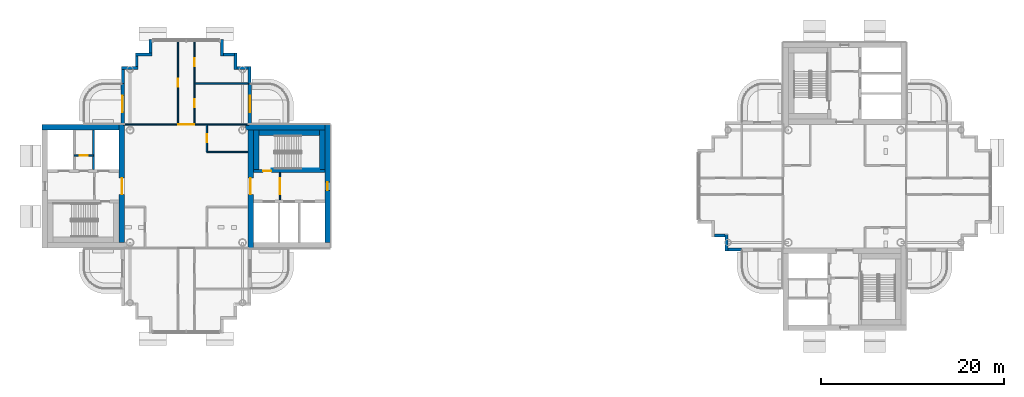
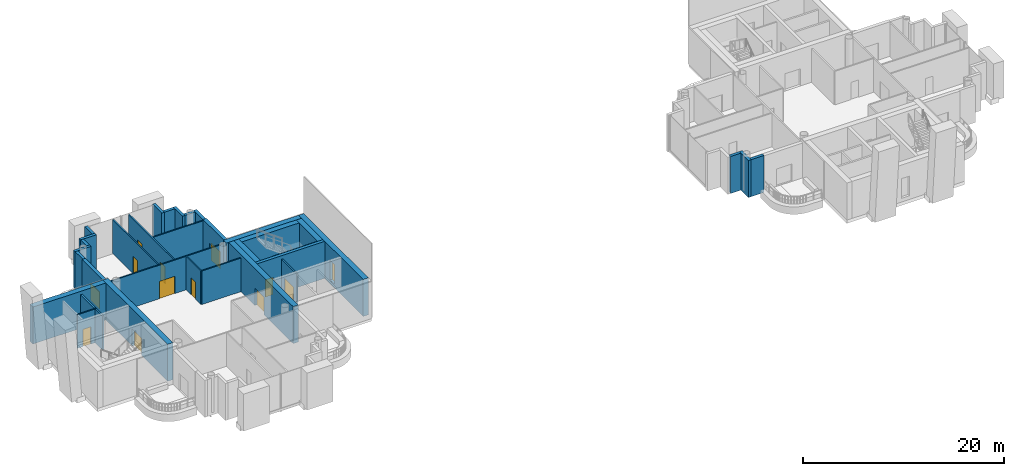
# One storey, part 8 of 20: 34 walls, 12 doors, 1 window, 13 openings.
"""IFC4 building model written with IfcOpenShell, lengths in metres."""

from ifc_helpers import new_model, si_unit, direction, frame, frame_2d, origin, place, context, subcontext, project, spatial, rectangle, extrude, material, layer, layer_set, type_object, element, fill, save


model = new_model("IFC4")

# Units and contexts
model_context = context("Model", 3, precision=1e-05, world=origin(), true_north=direction((0.0, 1.0)))
body_context = subcontext(model_context, "Body", "Model", "MODEL_VIEW")
ifc_project = project(units=[si_unit("LENGTHUNIT", "METRE"), si_unit("AREAUNIT", "SQUARE_METRE"), si_unit("VOLUMEUNIT", "CUBIC_METRE"), si_unit("PLANEANGLEUNIT", "RADIAN"), si_unit("MASSUNIT", "GRAM", prefix="KILO")], contexts=[model_context])

# Site, building, storey
site_placement = place(None, origin())
site = spatial("IfcSite", under=ifc_project, at=site_placement, CompositionType="ELEMENT")
building_placement = place(site_placement, origin())
building = spatial("IfcBuilding", under=site, at=building_placement, Name="Ipe Terrace Towers", CompositionType="ELEMENT")
storey_placement = place(building_placement, frame((0.0, 0.0, 242.39990234375)))
storey = spatial("IfcBuildingStorey", under=building, at=storey_placement, Name="L67", CompositionType="ELEMENT", Elevation=242.39990234375)

# Wall, opening, door
ifc_material_1 = material(Name="Concrete C40/50 with buff precast cladding", Category="concrete")
ifc_layer_1 = layer(ifc_material_1, 0.39990234375)
ifc_layer_set_1 = layer_set([ifc_layer_1], Name="BALCONY BAY WALL 400")
wall_type_1 = type_object("IfcWallType", Name="BALCONY BAY WALL 400", PredefinedType="STANDARD", material=ifc_layer_set_1)
wall_1_placement = place(storey_placement, frame((-29.050048828125, 6.75, -0.02001953125), z_axis=(0.0, 0.0, 1.0), x_axis=(0.0, 1.0, 0.0)))
wall_1 = element("IfcWall", 1, at=wall_1_placement, inside=storey, type_object=wall_type_1, Name="T1-W-L67-20a wall", PredefinedType="STANDARD", context=body_context, shape_type="SweptSolid", body=[
    extrude(rectangle(XDim=4.5, YDim=0.39990234375, at=frame_2d((2.25, 0.0))), origin(), (0.0, 0.0, 1.0), 4.22021484375),
])
opening_1_placement = place(wall_1_placement, frame((1.35009765625, 0.0, 0.02001953125)))
opening_1 = element("IfcOpeningElement", 2, at=opening_1_placement, cuts=wall_1, Name="Opening T1-D-L67-20", PredefinedType="OPENING", context=body_context, shape_type="SweptSolid", body=[
    extrude(rectangle(XDim=1.800048828125, YDim=2.10009765625, at=frame_2d((0.89990234375, 1.050048828125))), frame((0.0, 0.2099609375, 0.0), z_axis=(0.0, -1.0, 0.0), x_axis=(1.0, 0.0, 0.0)), (0.0, 0.0, 1.0), 0.419921875),
])
ifc_material_2 = material(Name="Aluminium alloy 6063-T6 framed glazed door", Category="aluminium")
door_type_1 = type_object("IfcDoorType", Name="BALCONY DOOR 1800 x 2100 LEFT", OperationType="SINGLE_SWING_LEFT", PredefinedType="DOOR", material=ifc_material_2)
door_1_placement = place(opening_1_placement, origin())
door_1 = element("IfcDoor", 3, at=door_1_placement, inside=storey, type_object=door_type_1, Name="DB1 door", OperationType="SINGLE_SWING_LEFT", OverallHeight=2.10009765625, OverallWidth=1.800048828125, PredefinedType="DOOR", context=body_context, shape_type="SweptSolid", body=[
    extrude(rectangle(XDim=1.800048828125, YDim=2.10009765625, at=frame_2d((0.89990234375, 1.050048828125))), frame((0.0, 0.02490234375, 0.0), z_axis=(0.0, -1.0, 0.0), x_axis=(1.0, 0.0, 0.0)), (0.0, 0.0, 1.0), 0.050048828125),
])
fill(opening_1, door_1)

wall_2_placement = place(storey_placement, frame((-42.949951171875, 11.25, -0.02001953125), z_axis=(0.0, 0.0, 1.0), x_axis=(0.0, -1.0, 0.0)))
wall_2 = element("IfcWall", 4, at=wall_2_placement, inside=storey, type_object=wall_type_1, Name="T1-W-L67-32a wall", PredefinedType="STANDARD", context=body_context, shape_type="SweptSolid", body=[
    extrude(rectangle(XDim=4.5, YDim=0.39990234375, at=frame_2d((2.25, 0.0))), origin(), (0.0, 0.0, 1.0), 4.22021484375),
])
opening_2_placement = place(wall_2_placement, frame((1.35009765625, 0.0, 0.02001953125)))
opening_2 = element("IfcOpeningElement", 5, at=opening_2_placement, cuts=wall_2, Name="Opening T1-D-L67-32", PredefinedType="OPENING", context=body_context, shape_type="SweptSolid", body=[
    extrude(rectangle(XDim=1.800048828125, YDim=2.10009765625, at=frame_2d((0.89990234375, 1.050048828125))), frame((0.0, 0.2099609375, 0.0), z_axis=(0.0, -1.0, 0.0), x_axis=(1.0, 0.0, 0.0)), (0.0, 0.0, 1.0), 0.419921875),
])
door_2_placement = place(opening_2_placement, origin())
door_2 = element("IfcDoor", 6, at=door_2_placement, inside=storey, type_object=door_type_1, Name="DB1 door", OperationType="SINGLE_SWING_LEFT", OverallHeight=2.10009765625, OverallWidth=1.800048828125, PredefinedType="DOOR", context=body_context, shape_type="SweptSolid", body=[
    extrude(rectangle(XDim=1.800048828125, YDim=2.10009765625, at=frame_2d((0.89990234375, 1.050048828125))), frame((0.0, 0.02490234375, 0.0), z_axis=(0.0, -1.0, 0.0), x_axis=(1.0, 0.0, 0.0)), (0.0, 0.0, 1.0), 0.050048828125),
])
fill(opening_2, door_2)

# Walls
ifc_material_3 = material(Name="Concrete C40/50 with buff precast cladding", Category="concrete")
ifc_layer_2 = layer(ifc_material_3, 0.320068359375)
ifc_layer_set_2 = layer_set([ifc_layer_2], Name="BUFF CLADDING WALL 320")
wall_type_2 = type_object("IfcWallType", Name="BUFF CLADDING WALL 320", PredefinedType="STANDARD", material=ifc_layer_set_2)
wall_3_placement = place(storey_placement, frame((-29.090087890625, 11.25, -0.2998046875), z_axis=(0.0, 0.0, 1.0), x_axis=(0.0, 1.0, 0.0)))
element("IfcWall", 7, at=wall_3_placement, inside=storey, type_object=wall_type_2, Name="T1-W-L67-21a wall", PredefinedType="STANDARD", context=body_context, shape_type="SweptSolid", body=[
    extrude(rectangle(XDim=1.820068359375, YDim=0.320068359375, at=frame_2d((0.91015625, 0.0))), origin(), (0.0, 0.0, 1.0), 4.5),
])
wall_4_placement = place(storey_placement, frame((-29.25, 12.909912109375, -0.2998046875), z_axis=(0.0, 0.0, 1.0), x_axis=(-1.0, 0.0, 0.0)))
element("IfcWall", 8, at=wall_4_placement, inside=storey, type_object=wall_type_2, Name="T1-W-L67-22a wall", PredefinedType="STANDARD", context=body_context, shape_type="SweptSolid", body=[
    extrude(rectangle(XDim=1.179931640625, YDim=0.320068359375, at=frame_2d((0.58984375, 0.0))), origin(), (0.0, 0.0, 1.0), 4.5),
])
wall_5_placement = place(storey_placement, frame((-30.590087890625, 12.75, -0.2998046875), z_axis=(0.0, 0.0, 1.0), x_axis=(0.0, 1.0, 0.0)))
element("IfcWall", 9, at=wall_5_placement, inside=storey, type_object=wall_type_2, Name="T1-W-L67-23a wall", PredefinedType="STANDARD", context=body_context, shape_type="SweptSolid", body=[
    extrude(rectangle(XDim=1.820068359375, YDim=0.320068359375, at=frame_2d((0.91015625, 0.0))), origin(), (0.0, 0.0, 1.0), 4.5),
])
wall_6_placement = place(storey_placement, frame((-30.75, 14.409912109375, -0.2998046875), z_axis=(0.0, 0.0, 1.0), x_axis=(-1.0, 0.0, 0.0)))
element("IfcWall", 10, at=wall_6_placement, inside=storey, type_object=wall_type_2, Name="T1-W-L67-24a wall", PredefinedType="STANDARD", context=body_context, shape_type="SweptSolid", body=[
    extrude(rectangle(XDim=1.179931640625, YDim=0.320068359375, at=frame_2d((0.58984375, 0.0))), origin(), (0.0, 0.0, 1.0), 4.5),
])
wall_7_placement = place(storey_placement, frame((-32.090087890625, 14.25, -0.2998046875), z_axis=(0.0, 0.0, 1.0), x_axis=(0.0, 1.0, 0.0)))
element("IfcWall", 11, at=wall_7_placement, inside=storey, type_object=wall_type_2, Name="T1-W-L67-25a wall", PredefinedType="STANDARD", context=body_context, shape_type="SweptSolid", body=[
    extrude(rectangle(XDim=1.820068359375, YDim=0.320068359375, at=frame_2d((0.91015625, 0.0))), origin(), (0.0, 0.0, 1.0), 4.5),
])
wall_8_placement = place(storey_placement, frame((-39.909912109375, 16.070068359375, -0.2998046875), z_axis=(0.0, 0.0, 1.0), x_axis=(0.0, -1.0, 0.0)))
element("IfcWall", 12, at=wall_8_placement, inside=storey, type_object=wall_type_2, Name="T1-W-L67-27a wall", PredefinedType="STANDARD", context=body_context, shape_type="SweptSolid", body=[
    extrude(rectangle(XDim=1.5, YDim=0.320068359375, at=frame_2d((0.75, 0.0))), origin(), (0.0, 0.0, 1.0), 4.5),
])
wall_9_placement = place(storey_placement, frame((-39.75, 14.409912109375, -0.2998046875), z_axis=(0.0, 0.0, 1.0), x_axis=(-1.0, 0.0, 0.0)))
element("IfcWall", 13, at=wall_9_placement, inside=storey, type_object=wall_type_2, Name="T1-W-L67-28a wall", PredefinedType="STANDARD", context=body_context, shape_type="SweptSolid", body=[
    extrude(rectangle(XDim=1.820068359375, YDim=0.320068359375, at=frame_2d((0.91015625, 0.0))), origin(), (0.0, 0.0, 1.0), 4.5),
])
wall_10_placement = place(storey_placement, frame((-41.409912109375, 14.25, -0.2998046875), z_axis=(0.0, 0.0, 1.0), x_axis=(0.0, -1.0, 0.0)))
element("IfcWall", 14, at=wall_10_placement, inside=storey, type_object=wall_type_2, Name="T1-W-L67-29a wall", PredefinedType="STANDARD", context=body_context, shape_type="SweptSolid", body=[
    extrude(rectangle(XDim=1.179931640625, YDim=0.320068359375, at=frame_2d((0.58984375, 0.0))), origin(), (0.0, 0.0, 1.0), 4.5),
])
wall_11_placement = place(storey_placement, frame((-41.25, 12.909912109375, -0.2998046875), z_axis=(0.0, 0.0, 1.0), x_axis=(-1.0, 0.0, 0.0)))
element("IfcWall", 15, at=wall_11_placement, inside=storey, type_object=wall_type_2, Name="T1-W-L67-30a wall", PredefinedType="STANDARD", context=body_context, shape_type="SweptSolid", body=[
    extrude(rectangle(XDim=1.820068359375, YDim=0.320068359375, at=frame_2d((0.91015625, 0.0))), origin(), (0.0, 0.0, 1.0), 4.5),
])
wall_12_placement = place(storey_placement, frame((-42.909912109375, 12.75, -0.2998046875), z_axis=(0.0, 0.0, 1.0), x_axis=(0.0, -1.0, 0.0)))
element("IfcWall", 16, at=wall_12_placement, inside=storey, type_object=wall_type_2, Name="T1-W-L67-31a wall", PredefinedType="STANDARD", context=body_context, shape_type="SweptSolid", body=[
    extrude(rectangle(XDim=1.5, YDim=0.320068359375, at=frame_2d((0.75, 0.0))), origin(), (0.0, 0.0, 1.0), 4.5),
])
wall_13_placement = place(storey_placement, frame((21.75, -5.409912109375, -0.2998046875), z_axis=(0.0, 0.0, 1.0), x_axis=(1.0, 0.0, 0.0)))
element("IfcWall", 17, at=wall_13_placement, inside=storey, type_object=wall_type_2, Name="T2-W-L67-29a wall", PredefinedType="STANDARD", context=body_context, shape_type="SweptSolid", body=[
    extrude(rectangle(XDim=1.179931640625, YDim=0.320068359375, at=frame_2d((0.58984375, 0.0))), origin(), (0.0, 0.0, 1.0), 4.5),
])
wall_14_placement = place(storey_placement, frame((23.090087890625, -5.25, -0.2998046875), z_axis=(0.0, 0.0, 1.0), x_axis=(0.0, -1.0, 0.0)))
element("IfcWall", 18, at=wall_14_placement, inside=storey, type_object=wall_type_2, Name="T2-W-L67-30a wall", PredefinedType="STANDARD", context=body_context, shape_type="SweptSolid", body=[
    extrude(rectangle(XDim=1.820068359375, YDim=0.320068359375, at=frame_2d((0.91015625, 0.0))), origin(), (0.0, 0.0, 1.0), 4.5),
])
wall_15_placement = place(storey_placement, frame((23.25, -6.909912109375, -0.2998046875), z_axis=(0.0, 0.0, 1.0), x_axis=(1.0, 0.0, 0.0)))
element("IfcWall", 19, at=wall_15_placement, inside=storey, type_object=wall_type_2, Name="T2-W-L67-31a wall", PredefinedType="STANDARD", context=body_context, shape_type="SweptSolid", body=[
    extrude(rectangle(XDim=1.5, YDim=0.320068359375, at=frame_2d((0.75, 0.0))), origin(), (0.0, 0.0, 1.0), 4.5),
])

# Wall, opening, door
ifc_material_4 = material(Name="Gypsum board partition", Category="plasterboard")
ifc_layer_3 = layer(ifc_material_4, 0.14990234375)
ifc_layer_set_3 = layer_set([ifc_layer_3], Name="Gypsum board partition 150 mm")
wall_type_3 = type_object("IfcWallType", Name="Gypsum board partition 150 mm", PredefinedType="PARTITIONING", material=ifc_layer_set_3)
wall_16_placement = place(storey_placement, frame((-25.75, -1.5, 0.0), z_axis=(0.0, 0.0, 1.0), x_axis=(0.0, 1.0, 0.0)))
wall_16 = element("IfcWall", 20, at=wall_16_placement, inside=storey, type_object=wall_type_3, Name="Gypsum board partition T1 L67 t1c1-lobby-wall", PredefinedType="PARTITIONING", context=body_context, shape_type="SweptSolid", body=[
    extrude(rectangle(XDim=3.0, YDim=0.14990234375, at=frame_2d((1.5, 0.0))), origin(), (0.0, 0.0, 1.0), 4.080078125),
])
opening_3_placement = place(wall_16_placement, frame((0.60009765625, 0.0, 0.0)))
opening_3 = element("IfcOpeningElement", 21, at=opening_3_placement, cuts=wall_16, Name="Opening T1C1-VD", PredefinedType="OPENING", context=body_context, shape_type="SweptSolid", body=[
    extrude(rectangle(XDim=1.800048828125, YDim=2.10009765625, at=frame_2d((0.89990234375, 1.050048828125))), frame((0.0, 0.0849609375, 0.0), z_axis=(0.0, -1.0, 0.0), x_axis=(1.0, 0.0, 0.0)), (0.0, 0.0, 1.0), 0.169921875),
])
ifc_material_5 = material(Name="Fire-rated timber door leaf", Category="wood")
door_type_2 = type_object("IfcDoorType", Name="Lobby door 1800 x 2100 FD60", OperationType="NOTDEFINED", PredefinedType="DOOR", material=ifc_material_5)
door_3_placement = place(opening_3_placement, origin())
door_3 = element("IfcDoor", 22, at=door_3_placement, inside=storey, type_object=door_type_2, Name="Lobby door T1C1-VD", OperationType="SINGLE_SWING_LEFT", OverallHeight=2.10009765625, OverallWidth=1.800048828125, PredefinedType="DOOR", context=body_context, shape_type="SweptSolid", body=[
    extrude(rectangle(XDim=1.800048828125, YDim=2.10009765625, at=frame_2d((0.89990234375, 1.050048828125))), frame((0.0, 0.02490234375, 0.0), z_axis=(0.0, -1.0, 0.0), x_axis=(1.0, 0.0, 0.0)), (0.0, 0.0, 1.0), 0.050048828125),
])
fill(opening_3, door_3)

wall_17_placement = place(storey_placement, frame((-46.14990234375, 3.35009765625, 0.0), z_axis=(0.0, 0.0, 1.0), x_axis=(-1.0, 0.0, 0.0)))
wall_17 = element("IfcWall", 23, at=wall_17_placement, inside=storey, type_object=wall_type_3, Name="Gypsum board partition T1 L67 t1c2-q-back", PredefinedType="PARTITIONING", context=body_context, shape_type="SweptSolid", body=[
    extrude(rectangle(XDim=2.10009765625, YDim=0.14990234375, at=frame_2d((1.050048828125, 0.0))), origin(), (0.0, 0.0, 1.0), 4.080078125),
])
opening_4_placement = place(wall_17_placement, frame((0.60009765625, 0.0, 0.0)))
opening_4 = element("IfcOpeningElement", 24, at=opening_4_placement, cuts=wall_17, Name="Opening T1C2-RB", PredefinedType="OPENING", context=body_context, shape_type="SweptSolid", body=[
    extrude(rectangle(XDim=0.89990234375, YDim=2.10009765625, at=frame_2d((0.449951171875, 1.050048828125))), frame((0.0, 0.0849609375, 0.0), z_axis=(0.0, -1.0, 0.0), x_axis=(1.0, 0.0, 0.0)), (0.0, 0.0, 1.0), 0.169921875),
])
ifc_material_6 = material(Name="Fire-rated timber door leaf", Category="wood")
door_type_3 = type_object("IfcDoorType", Name="Service door 900 x 2100 FD60", OperationType="NOTDEFINED", PredefinedType="DOOR", material=ifc_material_6)
door_4_placement = place(opening_4_placement, origin())
door_4 = element("IfcDoor", 25, at=door_4_placement, inside=storey, type_object=door_type_3, Name="Service door T1C2-RB", OperationType="SINGLE_SWING_LEFT", OverallHeight=2.10009765625, OverallWidth=0.89990234375, PredefinedType="DOOR", context=body_context, shape_type="SweptSolid", body=[
    extrude(rectangle(XDim=0.89990234375, YDim=2.10009765625, at=frame_2d((0.449951171875, 1.050048828125))), frame((0.0, 0.02490234375, 0.0), z_axis=(0.0, -1.0, 0.0), x_axis=(1.0, 0.0, 0.0)), (0.0, 0.0, 1.0), 0.050048828125),
])
fill(opening_4, door_4)

wall_18_placement = place(storey_placement, frame((-33.75, 3.75, 0.0), z_axis=(0.0, 0.0, 1.0), x_axis=(0.0, 1.0, 0.0)))
wall_18 = element("IfcWall", 26, at=wall_18_placement, inside=storey, type_object=wall_type_3, Name="Gypsum board partition T1 L67 sp-cne-x", PredefinedType="PARTITIONING", context=body_context, shape_type="SweptSolid", body=[
    extrude(rectangle(XDim=3.0, YDim=0.14990234375, at=frame_2d((1.5, 0.0))), origin(), (0.0, 0.0, 1.0), 4.080078125),
])
opening_5_placement = place(wall_18_placement, frame((1.050048828125, 0.0, 0.0)))
opening_5 = element("IfcOpeningElement", 27, at=opening_5_placement, cuts=wall_18, Name="Opening T1-SP-CNE-NR", PredefinedType="OPENING", context=body_context, shape_type="SweptSolid", body=[
    extrude(rectangle(XDim=0.89990234375, YDim=2.10009765625, at=frame_2d((0.449951171875, 1.050048828125))), frame((0.0, 0.0849609375, 0.0), z_axis=(0.0, -1.0, 0.0), x_axis=(1.0, 0.0, 0.0)), (0.0, 0.0, 1.0), 0.169921875),
])
ifc_material_7 = material(Name="Timber door leaf", Category="wood")
door_type_4 = type_object("IfcDoorType", Name="Service door 900 x 2100", OperationType="NOTDEFINED", PredefinedType="DOOR", material=ifc_material_7)
door_5_placement = place(opening_5_placement, origin())
door_5 = element("IfcDoor", 28, at=door_5_placement, inside=storey, type_object=door_type_4, Name="Service door T1-SP-CNE-NR", OperationType="SINGLE_SWING_RIGHT", OverallHeight=2.10009765625, OverallWidth=0.89990234375, PredefinedType="DOOR", context=body_context, shape_type="SweptSolid", body=[
    extrude(rectangle(XDim=0.89990234375, YDim=2.10009765625, at=frame_2d((0.449951171875, 1.050048828125))), frame((0.0, 0.02490234375, 0.0), z_axis=(0.0, -1.0, 0.0), x_axis=(1.0, 0.0, 0.0)), (0.0, 0.0, 1.0), 0.050048828125),
])
fill(opening_5, door_5)

# Wall
wall_19_placement = place(storey_placement, frame((-33.75, 3.75, 0.0), z_axis=(0.0, 0.0, 1.0), x_axis=(1.0, 0.0, 0.0)))
element("IfcWall", 29, at=wall_19_placement, inside=storey, type_object=wall_type_3, Name="Gypsum board partition T1 L67 sp-cne-y", PredefinedType="PARTITIONING", context=body_context, shape_type="SweptSolid", body=[
    extrude(rectangle(XDim=4.5, YDim=0.14990234375, at=frame_2d((2.25, 0.0))), origin(), (0.0, 0.0, 1.0), 4.080078125),
])

# Wall, opening, door
wall_20_placement = place(storey_placement, frame((-42.85009765625, 6.75, 0.0), z_axis=(0.0, 0.0, 1.0), x_axis=(1.0, 0.0, 0.0)))
wall_20 = element("IfcWall", 30, at=wall_20_placement, inside=storey, type_object=wall_type_3, Name="Gypsum board partition T1 L67 sp-Sp-mouth", PredefinedType="PARTITIONING", context=body_context, shape_type="SweptSolid", body=[
    extrude(rectangle(XDim=13.7001953125, YDim=0.14990234375, at=frame_2d((6.85009765625, 0.0))), origin(), (0.0, 0.0, 1.0), 4.080078125),
])
opening_6_placement = place(wall_20_placement, frame((5.949951171875, 0.0, 0.0)))
opening_6 = element("IfcOpeningElement", 31, at=opening_6_placement, cuts=wall_20, Name="Opening T1-SP-MSp", PredefinedType="OPENING", context=body_context, shape_type="SweptSolid", body=[
    extrude(rectangle(XDim=1.800048828125, YDim=2.10009765625, at=frame_2d((0.89990234375, 1.050048828125))), frame((0.0, 0.0849609375, 0.0), z_axis=(0.0, -1.0, 0.0), x_axis=(1.0, 0.0, 0.0)), (0.0, 0.0, 1.0), 0.169921875),
])
ifc_material_8 = material(Name="Fire-rated timber door leaf", Category="wood")
door_type_5 = type_object("IfcDoorType", Name="Lobby door 1800 x 2100 FD30S", OperationType="NOTDEFINED", PredefinedType="DOOR", material=ifc_material_8)
door_6_placement = place(opening_6_placement, origin())
door_6 = element("IfcDoor", 32, at=door_6_placement, inside=storey, type_object=door_type_5, Name="Lobby door T1-SP-MSp", OperationType="SINGLE_SWING_LEFT", OverallHeight=2.10009765625, OverallWidth=1.800048828125, PredefinedType="DOOR", context=body_context, shape_type="SweptSolid", body=[
    extrude(rectangle(XDim=1.800048828125, YDim=2.10009765625, at=frame_2d((0.89990234375, 1.050048828125))), frame((0.0, 0.02490234375, 0.0), z_axis=(0.0, -1.0, 0.0), x_axis=(1.0, 0.0, 0.0)), (0.0, 0.0, 1.0), 0.050048828125),
])
fill(opening_6, door_6)

# Wall, openings, doors
wall_21_placement = place(storey_placement, frame((-35.10009765625, 6.824951171875, 0.0), z_axis=(0.0, 0.0, 1.0), x_axis=(0.0, 1.0, 0.0)))
wall_21 = element("IfcWall", 33, at=wall_21_placement, inside=storey, type_object=wall_type_3, Name="Gypsum board partition T1 L67 sp-Sp-wp", PredefinedType="PARTITIONING", context=body_context, shape_type="SweptSolid", body=[
    extrude(rectangle(XDim=9.025146484375, YDim=0.14990234375, at=frame_2d((4.5126953125, 0.0))), origin(), (0.0, 0.0, 1.0), 4.080078125),
])
opening_7_placement = place(wall_21_placement, frame((1.800048828125, 0.0, 0.0)))
opening_7 = element("IfcOpeningElement", 34, at=opening_7_placement, cuts=wall_21, Name="Opening T1-SP-PSp1", PredefinedType="OPENING", context=body_context, shape_type="SweptSolid", body=[
    extrude(rectangle(XDim=0.89990234375, YDim=2.10009765625, at=frame_2d((0.449951171875, 1.050048828125))), frame((0.0, 0.0849609375, 0.0), z_axis=(0.0, -1.0, 0.0), x_axis=(1.0, 0.0, 0.0)), (0.0, 0.0, 1.0), 0.169921875),
])
opening_8_placement = place(wall_21_placement, frame((6.300048828125, 0.0, 0.0)))
opening_8 = element("IfcOpeningElement", 35, at=opening_8_placement, cuts=wall_21, Name="Opening T1-SP-PSp2", PredefinedType="OPENING", context=body_context, shape_type="SweptSolid", body=[
    extrude(rectangle(XDim=0.89990234375, YDim=2.10009765625, at=frame_2d((0.449951171875, 1.050048828125))), frame((0.0, 0.0849609375, 0.0), z_axis=(0.0, -1.0, 0.0), x_axis=(1.0, 0.0, 0.0)), (0.0, 0.0, 1.0), 0.169921875),
])
ifc_material_9 = material(Name="Fire-rated timber door leaf", Category="wood")
door_type_6 = type_object("IfcDoorType", Name="Lounge door 900 x 2100 FD30S", OperationType="NOTDEFINED", PredefinedType="DOOR", material=ifc_material_9)
door_7_placement = place(opening_7_placement, origin())
door_7 = element("IfcDoor", 36, at=door_7_placement, inside=storey, type_object=door_type_6, Name="Lounge door T1-SP-PSp1", OperationType="SINGLE_SWING_LEFT", OverallHeight=2.10009765625, OverallWidth=0.89990234375, PredefinedType="DOOR", context=body_context, shape_type="SweptSolid", body=[
    extrude(rectangle(XDim=0.89990234375, YDim=2.10009765625, at=frame_2d((0.449951171875, 1.050048828125))), frame((0.0, 0.02490234375, 0.0), z_axis=(0.0, -1.0, 0.0), x_axis=(1.0, 0.0, 0.0)), (0.0, 0.0, 1.0), 0.050048828125),
])
fill(opening_7, door_7)
door_8_placement = place(opening_8_placement, origin())
door_8 = element("IfcDoor", 37, at=door_8_placement, inside=storey, type_object=door_type_6, Name="Lounge door T1-SP-PSp2", OperationType="SINGLE_SWING_RIGHT", OverallHeight=2.10009765625, OverallWidth=0.89990234375, PredefinedType="DOOR", context=body_context, shape_type="SweptSolid", body=[
    extrude(rectangle(XDim=0.89990234375, YDim=2.10009765625, at=frame_2d((0.449951171875, 1.050048828125))), frame((0.0, 0.02490234375, 0.0), z_axis=(0.0, -1.0, 0.0), x_axis=(1.0, 0.0, 0.0)), (0.0, 0.0, 1.0), 0.050048828125),
])
fill(opening_8, door_8)

# Wall
wall_22_placement = place(storey_placement, frame((-35.02490234375, 11.25, 0.0), z_axis=(0.0, 0.0, 1.0), x_axis=(1.0, 0.0, 0.0)))
element("IfcWall", 38, at=wall_22_placement, inside=storey, type_object=wall_type_3, Name="Gypsum board partition T1 L67 sp-Sp-dp1", PredefinedType="PARTITIONING", context=body_context, shape_type="SweptSolid", body=[
    extrude(rectangle(XDim=5.875, YDim=0.14990234375, at=frame_2d((2.9375, 0.0))), origin(), (0.0, 0.0, 1.0), 4.080078125),
])

# Wall, opening, door
wall_23_placement = place(storey_placement, frame((-36.89990234375, 6.824951171875, 0.0), z_axis=(0.0, 0.0, 1.0), x_axis=(0.0, 1.0, 0.0)))
wall_23 = element("IfcWall", 39, at=wall_23_placement, inside=storey, type_object=wall_type_3, Name="Gypsum board partition T1 L67 sp-Sp-wm", PredefinedType="PARTITIONING", context=body_context, shape_type="SweptSolid", body=[
    extrude(rectangle(XDim=9.025146484375, YDim=0.14990234375, at=frame_2d((4.5126953125, 0.0))), origin(), (0.0, 0.0, 1.0), 4.080078125),
])
opening_9_placement = place(wall_23_placement, frame((4.050048828125, 0.0, 0.0)))
opening_9 = element("IfcOpeningElement", 40, at=opening_9_placement, cuts=wall_23, Name="Opening T1-SP-MSp1", PredefinedType="OPENING", context=body_context, shape_type="SweptSolid", body=[
    extrude(rectangle(XDim=0.89990234375, YDim=2.10009765625, at=frame_2d((0.449951171875, 1.050048828125))), frame((0.0, 0.0849609375, 0.0), z_axis=(0.0, -1.0, 0.0), x_axis=(1.0, 0.0, 0.0)), (0.0, 0.0, 1.0), 0.169921875),
])
door_9_placement = place(opening_9_placement, origin())
door_9 = element("IfcDoor", 41, at=door_9_placement, inside=storey, type_object=door_type_6, Name="Lounge door T1-SP-MSp1", OperationType="SINGLE_SWING_RIGHT", OverallHeight=2.10009765625, OverallWidth=0.89990234375, PredefinedType="DOOR", context=body_context, shape_type="SweptSolid", body=[
    extrude(rectangle(XDim=0.89990234375, YDim=2.10009765625, at=frame_2d((0.449951171875, 1.050048828125))), frame((0.0, 0.02490234375, 0.0), z_axis=(0.0, -1.0, 0.0), x_axis=(1.0, 0.0, 0.0)), (0.0, 0.0, 1.0), 0.050048828125),
])
fill(opening_9, door_9)

# Wall
ifc_material_10 = material(Name="Gypsum board party wall", Category="plasterboard")
ifc_layer_4 = layer(ifc_material_10, 0.199951171875)
ifc_layer_set_4 = layer_set([ifc_layer_4], Name="Gypsum board party wall 200 mm")
wall_type_4 = type_object("IfcWallType", Name="Gypsum board party wall 200 mm", PredefinedType="SOLIDWALL", material=ifc_layer_set_4)
wall_24_placement = place(storey_placement, frame((-46.14990234375, 6.14990234375, 0.0), z_axis=(0.0, 0.0, 1.0), x_axis=(0.0, -1.0, 0.0)))
element("IfcWall", 42, at=wall_24_placement, inside=storey, type_object=wall_type_4, Name="Gypsum board party wall T1 L67 t1c2-shaft-div1", PredefinedType="SOLIDWALL", context=body_context, shape_type="SweptSolid", body=[
    extrude(rectangle(XDim=4.2998046875, YDim=0.199951171875, at=frame_2d((2.14990234375, 0.0))), origin(), (0.0, 0.0, 1.0), 4.080078125),
])

# Wall, opening, door
ifc_material_11 = material(Name="Concrete C40/50", Category="concrete")
ifc_layer_5 = layer(ifc_material_11, 0.35009765625)
ifc_layer_set_5 = layer_set([ifc_layer_5], Name="RW350 CORE SPINE WALL 350 C40-50")
wall_type_5 = type_object("IfcWallType", Name="RW350 CORE SPINE WALL 350 C40-50", PredefinedType="SHEAR", material=ifc_layer_set_5)
wall_25_placement = place(storey_placement, frame((-28.64990234375, 1.675048828125, 0.0), z_axis=(0.0, 0.0, 1.0), x_axis=(1.0, 0.0, 0.0)))
wall_25 = element("IfcWall", 43, at=wall_25_placement, inside=storey, type_object=wall_type_5, Name="Core spine wall T1-C1-Z4-SW2", PredefinedType="SHEAR", context=body_context, shape_type="SweptSolid", body=[
    extrude(rectangle(XDim=7.7998046875, YDim=0.35009765625, at=frame_2d((3.89990234375, 0.0))), origin(), (0.0, 0.0, 1.0), 4.5),
])
opening_10_placement = place(wall_25_placement, frame((1.050048828125, 0.0, 0.0)))
opening_10 = element("IfcOpeningElement", 44, at=opening_10_placement, cuts=wall_25, Name="Opening T1C1-SD", PredefinedType="OPENING", context=body_context, shape_type="SweptSolid", body=[
    extrude(rectangle(XDim=0.89990234375, YDim=2.10009765625, at=frame_2d((0.449951171875, 1.050048828125))), frame((0.0, 0.18505859375, 0.0), z_axis=(0.0, -1.0, 0.0), x_axis=(1.0, 0.0, 0.0)), (0.0, 0.0, 1.0), 0.3701171875),
])
ifc_material_12 = material(Name="Fire-rated timber door leaf", Category="wood")
door_type_7 = type_object("IfcDoorType", Name="Stair door 900 x 2100 FD60", OperationType="NOTDEFINED", PredefinedType="DOOR", material=ifc_material_12)
door_10_placement = place(opening_10_placement, origin())
door_10 = element("IfcDoor", 45, at=door_10_placement, inside=storey, type_object=door_type_7, Name="Stair door T1C1-SD", OperationType="SINGLE_SWING_LEFT", OverallHeight=2.10009765625, OverallWidth=0.89990234375, PredefinedType="DOOR", context=body_context, shape_type="SweptSolid", body=[
    extrude(rectangle(XDim=0.89990234375, YDim=2.10009765625, at=frame_2d((0.449951171875, 1.050048828125))), frame((0.0, 0.02490234375, 0.0), z_axis=(0.0, -1.0, 0.0), x_axis=(1.0, 0.0, 0.0)), (0.0, 0.0, 1.0), 0.050048828125),
])
fill(opening_10, door_10)

# Walls
ifc_material_13 = material(Name="Concrete C40/50", Category="concrete")
ifc_layer_6 = layer(ifc_material_13, 0.050048828125)
ifc_layer_set_6 = layer_set([ifc_layer_6], Name="RW50 CORE INFILL WALL 50 C40-50")
wall_type_6 = type_object("IfcWallType", Name="RW50 CORE INFILL WALL 50 C40-50", PredefinedType="SHEAR", material=ifc_layer_set_6)
wall_26_placement = place(storey_placement, frame((-26.64990234375, 1.875, 0.0), z_axis=(0.0, 0.0, 1.0), x_axis=(1.0, 0.0, 0.0)))
element("IfcWall", 46, at=wall_26_placement, inside=storey, type_object=wall_type_6, Name="Core infill wall T1-C1-spine-b", PredefinedType="SHEAR", context=body_context, shape_type="SweptSolid", body=[
    extrude(rectangle(XDim=5.199951171875, YDim=0.050048828125, at=frame_2d((2.60009765625, 0.0))), origin(), (0.0, 0.0, 1.0), 4.5),
])
ifc_material_14 = material(Name="Concrete C40/50", Category="concrete")
ifc_layer_7 = layer(ifc_material_14, 0.60009765625)
ifc_layer_set_7 = layer_set([ifc_layer_7], Name="RW600 CORE INFILL WALL 600 C40-50")
wall_type_7 = type_object("IfcWallType", Name="RW600 CORE INFILL WALL 600 C40-50", PredefinedType="SHEAR", material=ifc_layer_set_7)
wall_27_placement = place(storey_placement, frame((-21.14990234375, 1.85009765625, 0.0), z_axis=(0.0, 0.0, 1.0), x_axis=(0.0, 1.0, 0.0)))
element("IfcWall", 47, at=wall_27_placement, inside=storey, type_object=wall_type_7, Name="Core infill wall T1-C1-far", PredefinedType="SHEAR", context=body_context, shape_type="SweptSolid", body=[
    extrude(rectangle(XDim=4.2998046875, YDim=0.60009765625, at=frame_2d((2.14990234375, 0.0))), origin(), (0.0, 0.0, 1.0), 4.5),
])
wall_28_placement = place(storey_placement, frame((-28.050048828125, 5.85009765625, 0.0), z_axis=(0.0, 0.0, 1.0), x_axis=(1.0, 0.0, 0.0)))
element("IfcWall", 48, at=wall_28_placement, inside=storey, type_object=wall_type_7, Name="Core infill wall T1-C1-back", PredefinedType="SHEAR", context=body_context, shape_type="SweptSolid", body=[
    extrude(rectangle(XDim=6.60009765625, YDim=0.60009765625, at=frame_2d((3.300048828125, 0.0))), origin(), (0.0, 0.0, 1.0), 4.5),
])
wall_29_placement = place(storey_placement, frame((-28.35009765625, 1.85009765625, 0.0), z_axis=(0.0, 0.0, 1.0), x_axis=(0.0, 1.0, 0.0)))
element("IfcWall", 49, at=wall_29_placement, inside=storey, type_object=wall_type_7, Name="Core infill wall T1-C1-near", PredefinedType="SHEAR", context=body_context, shape_type="SweptSolid", body=[
    extrude(rectangle(XDim=4.2998046875, YDim=0.60009765625, at=frame_2d((2.14990234375, 0.0))), origin(), (0.0, 0.0, 1.0), 4.5),
])

# Wall, opening, window
ifc_material_15 = material(Name="Concrete C40/50", Category="concrete")
ifc_layer_8 = layer(ifc_material_15, 0.60009765625)
ifc_layer_set_8 = layer_set([ifc_layer_8], Name="RW600 CORE WALL 600 C40-50")
wall_type_8 = type_object("IfcWallType", Name="RW600 CORE WALL 600 C40-50", PredefinedType="SHEAR", material=ifc_layer_set_8)
wall_30_placement = place(storey_placement, frame((-20.550048828125, -6.14990234375, 0.0), z_axis=(0.0, 0.0, 1.0), x_axis=(0.0, 1.0, 0.0)))
wall_30 = element("IfcWall", 50, at=wall_30_placement, inside=storey, type_object=wall_type_8, Name="Core wall T1-C1-Z4-W02", PredefinedType="SHEAR", context=body_context, shape_type="SweptSolid", body=[
    extrude(rectangle(XDim=12.89990234375, YDim=0.60009765625, at=frame_2d((6.449951171875, 0.0))), origin(), (0.0, 0.0, 1.0), 4.5),
])
opening_11_placement = place(wall_30_placement, frame((5.699951171875, 0.0, 0.449951171875)))
opening_11 = element("IfcOpeningElement", 51, at=opening_11_placement, cuts=wall_30, Name="Opening T1-C1-W-01-L67", PredefinedType="OPENING", context=body_context, shape_type="SweptSolid", body=[
    extrude(rectangle(XDim=0.89990234375, YDim=2.39990234375, at=frame_2d((0.449951171875, 1.199951171875))), frame((0.0, 0.31005859375, 0.0), z_axis=(0.0, -1.0, 0.0), x_axis=(1.0, 0.0, 0.0)), (0.0, 0.0, 1.0), 0.6201171875),
])
ifc_material_16 = material(Name="Fire-resistant glazing EI 60", Category="glass")
window_type = type_object("IfcWindowType", Name="CORRIDOR END SLOT WINDOW 900 x 2400 EI 60", PartitioningType="SINGLE_PANEL", PredefinedType="WINDOW", material=ifc_material_16)
window_placement = place(opening_11_placement, origin())
window = element("IfcWindow", 52, at=window_placement, inside=storey, type_object=window_type, Name="W-01 window", OverallHeight=2.39990234375, OverallWidth=0.89990234375, PartitioningType="SINGLE_PANEL", PredefinedType="WINDOW", context=body_context, shape_type="SweptSolid", body=[
    extrude(rectangle(XDim=0.89990234375, YDim=2.39990234375, at=frame_2d((0.449951171875, 1.199951171875))), frame((0.0, 0.030029296875, 0.0), z_axis=(0.0, -1.0, 0.0), x_axis=(1.0, 0.0, 0.0)), (0.0, 0.0, 1.0), 0.06005859375),
])
fill(opening_11, window)

# Wall
wall_31_placement = place(storey_placement, frame((-20.85009765625, 6.449951171875, 0.0), z_axis=(0.0, 0.0, 1.0), x_axis=(-1.0, 0.0, 0.0)))
element("IfcWall", 53, at=wall_31_placement, inside=storey, type_object=wall_type_8, Name="Core wall T1-C1-Z4-W03", PredefinedType="SHEAR", context=body_context, shape_type="SweptSolid", body=[
    extrude(rectangle(XDim=8.64794921875, YDim=0.60009765625, at=frame_2d((4.323974609375, 0.0))), origin(), (0.0, 0.0, 1.0), 4.5),
])

# Wall, opening, door
wall_32_placement = place(storey_placement, frame((-28.949951171875, 6.14990234375, 0.0), z_axis=(0.0, 0.0, 1.0), x_axis=(0.0, -1.0, 0.0)))
wall_32 = element("IfcWall", 54, at=wall_32_placement, inside=storey, type_object=wall_type_8, Name="Core wall T1-C1-Z4-W04", PredefinedType="SHEAR", context=body_context, shape_type="SweptSolid", body=[
    extrude(rectangle(XDim=12.89990234375, YDim=0.60009765625, at=frame_2d((6.449951171875, 0.0))), origin(), (0.0, 0.0, 1.0), 4.5),
])
opening_12_placement = place(wall_32_placement, frame((5.25, 0.0, 0.0)))
opening_12 = element("IfcOpeningElement", 55, at=opening_12_placement, cuts=wall_32, Name="Opening T1C1-ND", PredefinedType="OPENING", context=body_context, shape_type="SweptSolid", body=[
    extrude(rectangle(XDim=1.800048828125, YDim=2.10009765625, at=frame_2d((0.89990234375, 1.050048828125))), frame((0.0, 0.31005859375, 0.0), z_axis=(0.0, -1.0, 0.0), x_axis=(1.0, 0.0, 0.0)), (0.0, 0.0, 1.0), 0.6201171875),
])
ifc_material_17 = material(Name="Fire-rated timber door leaf", Category="wood")
door_type_8 = type_object("IfcDoorType", Name="Fire door 1800 x 2100 FD30S", OperationType="NOTDEFINED", PredefinedType="DOOR", material=ifc_material_17)
door_11_placement = place(opening_12_placement, origin())
door_11 = element("IfcDoor", 56, at=door_11_placement, inside=storey, type_object=door_type_8, Name="Fire door T1C1-ND", OperationType="SINGLE_SWING_LEFT", OverallHeight=2.10009765625, OverallWidth=1.800048828125, PredefinedType="DOOR", context=body_context, shape_type="SweptSolid", body=[
    extrude(rectangle(XDim=1.800048828125, YDim=2.10009765625, at=frame_2d((0.89990234375, 1.050048828125))), frame((0.0, 0.02490234375, 0.0), z_axis=(0.0, -1.0, 0.0), x_axis=(1.0, 0.0, 0.0)), (0.0, 0.0, 1.0), 0.050048828125),
])
fill(opening_12, door_11)

wall_33_placement = place(storey_placement, frame((-43.050048828125, -6.14990234375, 0.0), z_axis=(0.0, 0.0, 1.0), x_axis=(0.0, 1.0, 0.0)))
wall_33 = element("IfcWall", 57, at=wall_33_placement, inside=storey, type_object=wall_type_8, Name="Core wall T1-C2-Z4-W02", PredefinedType="SHEAR", context=body_context, shape_type="SweptSolid", body=[
    extrude(rectangle(XDim=12.89990234375, YDim=0.60009765625, at=frame_2d((6.449951171875, 0.0))), origin(), (0.0, 0.0, 1.0), 4.5),
])
opening_13_placement = place(wall_33_placement, frame((5.25, 0.0, 0.0)))
opening_13 = element("IfcOpeningElement", 58, at=opening_13_placement, cuts=wall_33, Name="Opening T1C2-ND", PredefinedType="OPENING", context=body_context, shape_type="SweptSolid", body=[
    extrude(rectangle(XDim=1.800048828125, YDim=2.10009765625, at=frame_2d((0.89990234375, 1.050048828125))), frame((0.0, 0.31005859375, 0.0), z_axis=(0.0, -1.0, 0.0), x_axis=(1.0, 0.0, 0.0)), (0.0, 0.0, 1.0), 0.6201171875),
])
door_12_placement = place(opening_13_placement, origin())
door_12 = element("IfcDoor", 59, at=door_12_placement, inside=storey, type_object=door_type_8, Name="Fire door T1C2-ND", OperationType="SINGLE_SWING_LEFT", OverallHeight=2.10009765625, OverallWidth=1.800048828125, PredefinedType="DOOR", context=body_context, shape_type="SweptSolid", body=[
    extrude(rectangle(XDim=1.800048828125, YDim=2.10009765625, at=frame_2d((0.89990234375, 1.050048828125))), frame((0.0, 0.02490234375, 0.0), z_axis=(0.0, -1.0, 0.0), x_axis=(1.0, 0.0, 0.0)), (0.0, 0.0, 1.0), 0.050048828125),
])
fill(opening_13, door_12)

# Wall
wall_34_placement = place(storey_placement, frame((-43.35009765625, 6.449951171875, 0.0), z_axis=(0.0, 0.0, 1.0), x_axis=(-1.0, 0.0, 0.0)))
element("IfcWall", 60, at=wall_34_placement, inside=storey, type_object=wall_type_8, Name="Core wall T1-C2-Z4-W03", PredefinedType="SHEAR", context=body_context, shape_type="SweptSolid", body=[
    extrude(rectangle(XDim=8.39990234375, YDim=0.60009765625, at=frame_2d((4.199951171875, 0.0))), origin(), (0.0, 0.0, 1.0), 4.5),
])

save(model, "model.ifc")
